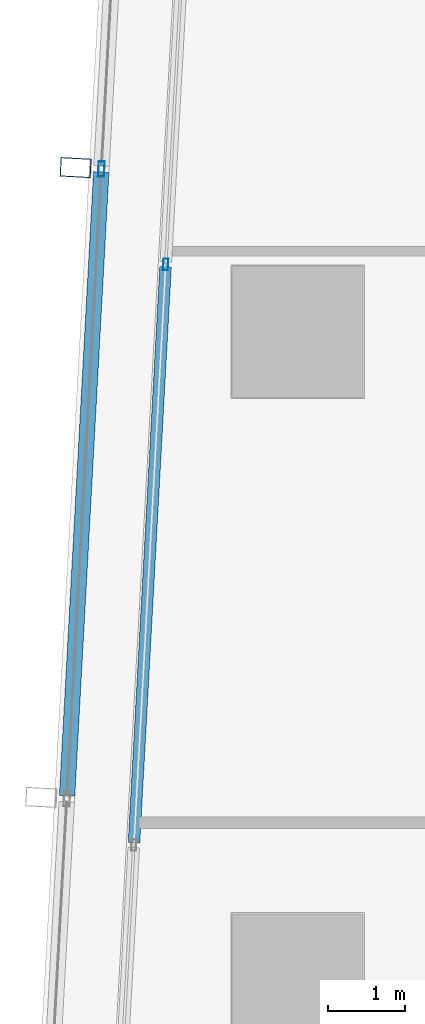
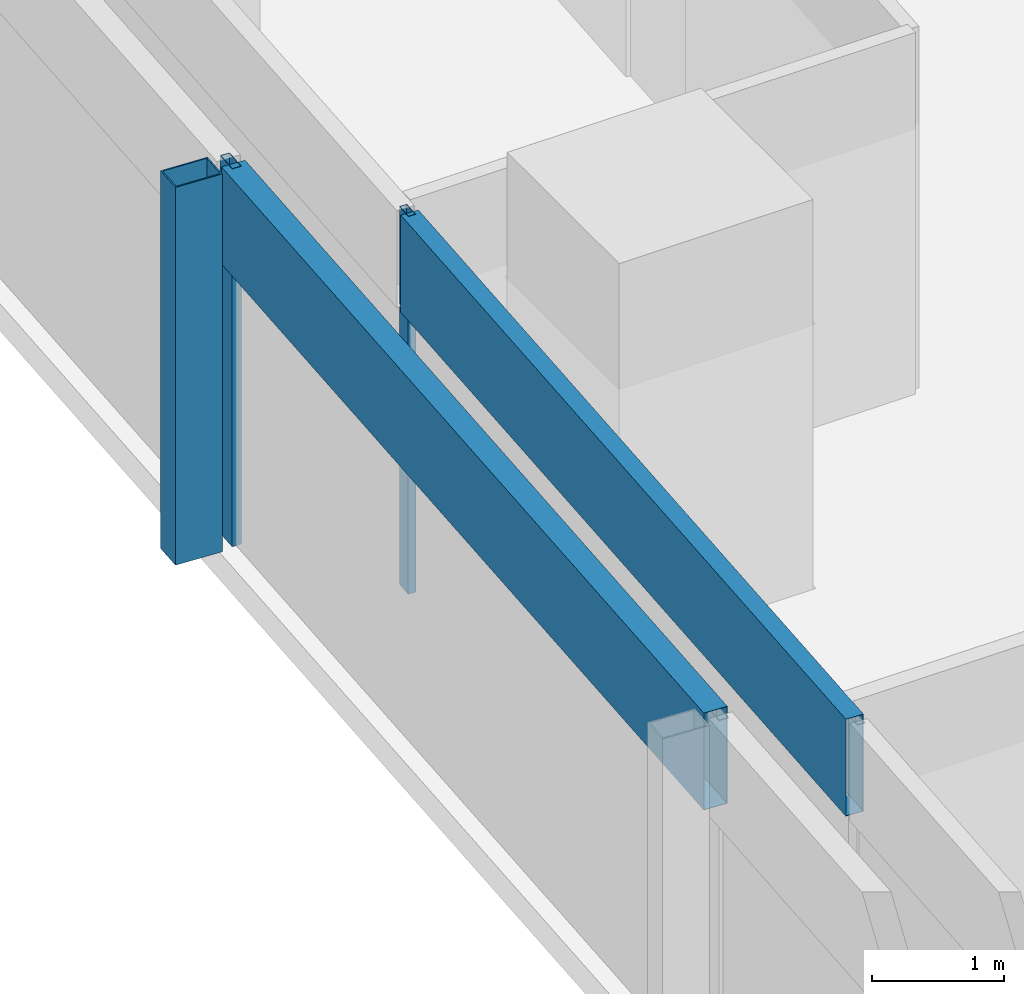
# One storey, part 8 of 40: 5 members, 2 elements without a shape of their own.
"""IFC4 building model written with IfcOpenShell, lengths in metres."""

import ifcopenshell
import ifcopenshell.guid

model = None  # the IFC model being written
_history = None  # IfcOwnerHistory: only IFC2X3 demands one
_inside = {}  # id of a spatial element -> (the spatial element, [elements in it])
_under = {}  # id of a project, library or spatial element -> (it, [spatial elements below it])
_declared = {}  # id of a project -> (the project, [libraries it declares])
_typed = {}  # id of a type object -> (the type object, [elements of that type])
_made_of = {}  # id of a material, layer set ... -> (it, [elements and type objects made of it])


def new_model(schema):
    """Start an empty IFC model of exactly this schema.

    Asked for "IFC4X3", IfcOpenShell would pick the latest addendum, in which some entities
    have other attributes; the version numbers below select the first issue.
    IFC2X3 requires an IfcOwnerHistory on every rooted entity: one is made here for all.
    """
    global model, _history
    if schema == "IFC4X3":
        model = ifcopenshell.file(schema_version=(4, 3, 0, 0))
    else:
        model = ifcopenshell.file(schema=schema)
    _inside.clear()
    _under.clear()
    _declared.clear()
    _typed.clear()
    _made_of.clear()
    _history = None
    if model.schema == "IFC2X3":
        org = make("IfcOrganization", Name="unknown")
        user = make(
            "IfcPersonAndOrganization",
            ThePerson=make("IfcPerson", FamilyName="unknown"),
            TheOrganization=org,
        )
        app = make(
            "IfcApplication",
            ApplicationDeveloper=org,
            Version="unknown",
            ApplicationFullName="unknown",
            ApplicationIdentifier="unknown",
        )
        _history = make(
            "IfcOwnerHistory",
            OwningUser=user,
            OwningApplication=app,
            ChangeAction="ADDED",
            CreationDate=0,
        )
    return model


def make(cls, **values):
    """One entity of the class cls with the attributes given. An attribute that is None is left unset."""
    return model.create_entity(
        cls, **{name: value for name, value in values.items() if value is not None}
    )


def rooted(cls, **values):
    """An entity with a GlobalId (a new one), such as an element, a storey or a relation."""
    return make(cls, GlobalId=ifcopenshell.guid.new(), OwnerHistory=_history, **values)


def si_unit(unit_type, name, prefix=None):
    """IfcSIUnit, for example si_unit("LENGTHUNIT", "METRE", prefix="MILLI")."""
    return make("IfcSIUnit", UnitType=unit_type, Prefix=prefix, Name=name)


def assignment(units):
    """IfcUnitAssignment: the units of a project."""
    return None if units is None else make("IfcUnitAssignment", Units=units)


def point(xyz):
    """IfcCartesianPoint."""
    return None if xyz is None else make("IfcCartesianPoint", Coordinates=xyz)


def direction(xyz):
    """IfcDirection."""
    return None if xyz is None else make("IfcDirection", DirectionRatios=xyz)


def frame(location, z_axis=None, x_axis=None):
    """IfcAxis2Placement3D, a coordinate frame: its origin and axes. An axis left out is left unset."""
    return make(
        "IfcAxis2Placement3D",
        Location=point(location),
        Axis=direction(z_axis),
        RefDirection=direction(x_axis),
    )


def frame_2d(location, x_axis=None):
    """IfcAxis2Placement2D, a coordinate frame in the plane: its origin and x axis."""
    return make(
        "IfcAxis2Placement2D", Location=point(location), RefDirection=direction(x_axis)
    )


def origin():
    """The frame at (0, 0, 0) with its axes left unset."""
    return frame((0.0, 0.0, 0.0))


def origin_2d():
    """The frame at (0, 0) in the plane with its x axis left unset."""
    return frame_2d((0.0, 0.0))


def place(relative_to, where):
    """IfcLocalPlacement: puts the frame where relative to a parent placement (None: the world)."""
    return make(
        "IfcLocalPlacement", PlacementRelTo=relative_to, RelativePlacement=where
    )


def context(
    kind, dimensions, precision=None, world=None, true_north=None, identifier=None
):
    """IfcGeometricRepresentationContext, for example the 3D "Model" context."""
    return make(
        "IfcGeometricRepresentationContext",
        ContextIdentifier=identifier,
        ContextType=kind,
        CoordinateSpaceDimension=dimensions,
        Precision=precision,
        WorldCoordinateSystem=world,
        TrueNorth=true_north,
    )


def subcontext(parent, identifier, kind, view, scale=None):
    """IfcGeometricRepresentationSubContext, for example "Body" below "Model"."""
    return make(
        "IfcGeometricRepresentationSubContext",
        ContextIdentifier=identifier,
        ContextType=kind,
        ParentContext=parent,
        TargetScale=scale,
        TargetView=view,
    )


def project(units=None, contexts=None):
    """IfcProject with its units and contexts."""
    return rooted(
        "IfcProject",
        Name="project",
        RepresentationContexts=contexts,
        UnitsInContext=assignment(units),
    )


def spatial(cls, under=None, at=None, **own):
    """A site, building, storey or space (cls), placed at a placement, below another one or the project."""
    s = rooted(cls, ObjectPlacement=at, **own)
    if under is not None:
        _under.setdefault(under.id(), (under, []))[1].append(s)
    return s


def profile(cls, at=None, kind="AREA", **sizes):
    """A parametric profile (cls). Its sizes go by their IFC names, for example OverallWidth=200.0."""
    return make(cls, ProfileType=kind, Position=at, **sizes)


def hollow_rectangle(**sizes):
    """IfcRectangleHollowProfileDef."""
    return profile("IfcRectangleHollowProfileDef", **sizes)


def extrude(swept, where, along, depth):
    """IfcExtrudedAreaSolid: the profile swept, set in the frame where, extruded along a direction by depth."""
    return make(
        "IfcExtrudedAreaSolid",
        SweptArea=swept,
        Position=where,
        ExtrudedDirection=direction(along),
        Depth=depth,
    )


def shape(context_of_items, identifier, shape_type, items):
    """IfcShapeRepresentation: the items that make up one representation, for example the "Body"."""
    return make(
        "IfcShapeRepresentation",
        ContextOfItems=context_of_items,
        RepresentationIdentifier=identifier,
        RepresentationType=shape_type,
        Items=items,
    )


def material(Name=None, Category=None):
    """IfcMaterial."""
    return make("IfcMaterial", Name=Name, Category=Category)


def material_profile(
    of_material, cross_section, Name=None, Category=None, Priority=None
):
    """IfcMaterialProfile: a cross section and its material."""
    return make(
        "IfcMaterialProfile",
        Name=Name,
        Material=of_material,
        Profile=cross_section,
        Priority=Priority,
        Category=Category,
    )


def profile_set(profiles, Name=None, composite=None):
    """IfcMaterialProfileSet."""
    return make(
        "IfcMaterialProfileSet",
        Name=Name,
        MaterialProfiles=profiles,
        CompositeProfile=composite,
    )


def made_of(thing, what):
    """Note that an element or type object is made of a material, layer set ...; save() writes the relation."""
    if what is not None:
        _made_of.setdefault(what.id(), (what, []))[1].append(thing)
    return thing


def type_object(cls, material=None, **own):
    """A type object (cls), such as IfcWallType, which elements share."""
    return made_of(rooted(cls, **own), material)


def element(
    cls,
    number,
    at=None,
    inside=None,
    cuts=None,
    type_object=None,
    material=None,
    context=None,
    identifier="Body",
    shape_type=None,
    held_by="IfcProductDefinitionShape",
    body=None,
    shapes=None,
    **own,
):
    """One element of the class cls, such as IfcWall. Its Tag is "e" and its number.

    at: its placement. inside: the storey or other place that contains it. cuts: it is an
    opening in that element (IfcRelVoidsElement). A single representation is given by context,
    identifier, shape_type and body (its items); several are given by shapes. held_by: the class
    of the entity that holds the representations. save() writes the other relations.
    """
    e = rooted(cls, Tag="e%d" % number, ObjectPlacement=at, **own)
    if body is not None:
        shapes = [shape(context, identifier, shape_type, body)]
    if shapes is not None:
        e.Representation = make(held_by, Representations=shapes)
    if inside is not None:
        _inside.setdefault(inside.id(), (inside, []))[1].append(e)
    if cuts is not None:
        rooted(
            "IfcRelVoidsElement", RelatingBuildingElement=cuts, RelatedOpeningElement=e
        )
    if type_object is not None:
        _typed.setdefault(type_object.id(), (type_object, []))[1].append(e)
    return made_of(e, material)


def aggregate(whole, parts):
    """IfcRelAggregates: a whole, such as a stair, and the parts it consists of."""
    return rooted("IfcRelAggregates", RelatingObject=whole, RelatedObjects=parts)


def save(model, path):
    """Write the relations noted so far, then the file.

    IfcRelAggregates (storeys below a building ...), IfcRelContainedInSpatialStructure (elements
    in a storey), IfcRelDefinesByType, IfcRelAssociatesMaterial and IfcRelDeclares: one each for
    every whole, place, type object, material and project.
    """
    for whole, parts in _under.values():
        aggregate(whole, parts)
    for where, things in _inside.values():
        rooted(
            "IfcRelContainedInSpatialStructure",
            RelatedElements=things,
            RelatingStructure=where,
        )
    for kind, things in _typed.values():
        rooted("IfcRelDefinesByType", RelatedObjects=things, RelatingType=kind)
    for what, things in _made_of.values():
        rooted("IfcRelAssociatesMaterial", RelatedObjects=things, RelatingMaterial=what)
    for by, libraries in _declared.values():
        rooted("IfcRelDeclares", RelatingContext=by, RelatedDefinitions=libraries)
    model.write(path)


model = new_model("IFC4")

# Units and contexts
model_context = context("Model", 3, precision=1e-05, world=origin(), true_north=direction((0.0, 1.0)))
body_context = subcontext(model_context, "Body", "Model", "MODEL_VIEW")
ifc_project = project(units=[si_unit("LENGTHUNIT", "METRE"), si_unit("AREAUNIT", "SQUARE_METRE"), si_unit("VOLUMEUNIT", "CUBIC_METRE"), si_unit("PLANEANGLEUNIT", "RADIAN"), si_unit("MASSUNIT", "GRAM", prefix="KILO")], contexts=[model_context])

# Site, building, storey
site_placement = place(None, origin())
site = spatial("IfcSite", under=ifc_project, at=site_placement, CompositionType="ELEMENT")
building_placement = place(site_placement, origin())
building = spatial("IfcBuilding", under=site, at=building_placement, Name="Rekha Terrace Tower", CompositionType="ELEMENT")
storey_placement = place(building_placement, frame((0.0, 0.0, 106.550048828125)))
storey = spatial("IfcBuildingStorey", under=building, at=storey_placement, Name="L26", CompositionType="ELEMENT", Elevation=106.550048828125)

# Curtain wall, member
ifc_material_1 = material(Name="Aluminium framing", Category="aluminium")
curtain_wall_type_1 = type_object("IfcCurtainWallType", Name="CW2 double skin outer glazing", PredefinedType="USERDEFINED", material=ifc_material_1)
curtain_wall_1_placement = place(storey_placement, origin())
curtain_wall_1 = element("IfcCurtainWall", 1, at=curtain_wall_1_placement, inside=storey, type_object=curtain_wall_type_1, Name="CW2 double skin outer glazing", ObjectType="DOUBLE SKIN OUTER GLAZING", PredefinedType="USERDEFINED")
ifc_material_2 = material(Name="Steel S355 with fluorocarbon finish", Category="steel")
ifc_material_profile_1 = material_profile(ifc_material_2, hollow_rectangle(XDim=0.25, YDim=0.39990234375, WallThickness=0.012451171875, at=origin_2d()), Name="RHS400x250x12.5")
ifc_profile_set_1 = profile_set([ifc_material_profile_1], Name="Steel S355 with fluorocarbon finish")
member_type_1 = type_object("IfcMemberType", Name="BL1 facade blade RHS 400 x 250", PredefinedType="USERDEFINED", material=ifc_profile_set_1)
member_1_placement = place(storey_placement, frame((5.521728515625, 44.128662109375, 0.0), z_axis=(0.0, 0.0, 1.0), x_axis=(-0.054742798353, -0.998500488747, 0.0)))
member_1 = element("IfcMember", 2, at=member_1_placement, type_object=member_type_1, Name="Facade blade", ObjectType="FACADE BLADE", PredefinedType="USERDEFINED", context=body_context, shape_type="SweptSolid", body=[
    extrude(hollow_rectangle(XDim=0.25, YDim=0.39990234375, WallThickness=0.012451171875, at=origin_2d()), origin(), (0.0, 0.0, 1.0), 3.5),
])

# Curtain wall, members
curtain_wall_type_2 = type_object("IfcCurtainWallType", Name="CW1 double skin inner glazing", PredefinedType="USERDEFINED", material=ifc_material_1)
curtain_wall_2_placement = place(storey_placement, origin())
curtain_wall_2 = element("IfcCurtainWall", 3, at=curtain_wall_2_placement, inside=storey, type_object=curtain_wall_type_2, Name="CW1 double skin inner glazing", ObjectType="DOUBLE SKIN INNER GLAZING", PredefinedType="USERDEFINED")
ifc_material_3 = material(Name="Aluminium mullion section", Category="aluminium")
ifc_material_profile_2 = material_profile(ifc_material_3, hollow_rectangle(XDim=0.06494140625, YDim=0.14990234375, WallThickness=0.00390625, at=origin_2d()), Name="AL RHS 65x150")
ifc_profile_set_2 = profile_set([ifc_material_profile_2], Name="Aluminium mullion section")
member_type_2 = type_object("IfcMemberType", Name="CW1 mullion RHS 65 x 150", PredefinedType="MULLION", material=ifc_profile_set_2)
member_2_placement = place(storey_placement, frame((6.689697265625, 42.87255859375, 0.0), z_axis=(0.0, 0.0, 1.0), x_axis=(0.99850051318, -0.054742352707, 0.0)))
member_2 = element("IfcMember", 4, at=member_2_placement, type_object=member_type_2, Name="CW1 mullion 3", PredefinedType="MULLION", context=body_context, shape_type="SweptSolid", body=[
    extrude(hollow_rectangle(XDim=0.06494140625, YDim=0.14990234375, WallThickness=0.00390625, at=origin_2d()), origin(), (0.0, 0.0, 1.0), 3.5),
])
ifc_material_4 = material(Name="Insulated aluminium spandrel box", Category="aluminium")
ifc_material_profile_3 = material_profile(ifc_material_4, hollow_rectangle(XDim=0.14990234375, YDim=0.89990234375, WallThickness=0.0029296875, at=origin_2d()), Name="AL SPANDREL BOX 150x900")
ifc_profile_set_3 = profile_set([ifc_material_profile_3], Name="Insulated aluminium spandrel box")
member_type_3 = type_object("IfcMemberType", Name="CW1 spandrel transom 150 x 900", PredefinedType="USERDEFINED", material=ifc_profile_set_3)
member_3_placement = place(storey_placement, frame((6.68798828125, 42.840087890625, 3.050048828125), z_axis=(-0.054766415299, -0.998499193668, 0.0), x_axis=(0.998499193668, -0.054766415299, 0.0)))
member_3 = element("IfcMember", 5, at=member_3_placement, type_object=member_type_3, Name="CW1 spandrel transom 3", ObjectType="TRANSOM", PredefinedType="USERDEFINED", context=body_context, shape_type="SweptSolid", body=[
    extrude(hollow_rectangle(XDim=0.14990234375, YDim=0.89990234375, WallThickness=0.0029296875, at=origin_2d()), origin(), (0.0, 0.0, 1.0), 7.475830078125),
])
aggregate(curtain_wall_2, [member_2, member_3])

# Member
ifc_material_profile_4 = material_profile(ifc_material_3, hollow_rectangle(XDim=0.080078125, YDim=0.199951171875, WallThickness=0.00390625, at=origin_2d()), Name="AL RHS 80x200")
ifc_profile_set_4 = profile_set([ifc_material_profile_4], Name="Aluminium mullion section")
member_type_4 = type_object("IfcMemberType", Name="CW2 mullion RHS 80 x 200", PredefinedType="MULLION", material=ifc_profile_set_4)
member_4_placement = place(storey_placement, frame((5.856201171875, 44.1103515625, 0.0), z_axis=(0.0, 0.0, 1.0), x_axis=(0.99850051318, -0.054742352707, 0.0)))
member_4 = element("IfcMember", 6, at=member_4_placement, type_object=member_type_4, Name="CW2 mullion 3", PredefinedType="MULLION", context=body_context, shape_type="SweptSolid", body=[
    extrude(hollow_rectangle(XDim=0.080078125, YDim=0.199951171875, WallThickness=0.00390625, at=origin_2d()), origin(), (0.0, 0.0, 1.0), 3.5),
])

ifc_material_profile_5 = material_profile(ifc_material_4, hollow_rectangle(XDim=0.199951171875, YDim=0.89990234375, WallThickness=0.0029296875, at=origin_2d()), Name="AL SPANDREL BOX 200x900")
ifc_profile_set_5 = profile_set([ifc_material_profile_5], Name="Insulated aluminium spandrel box")
member_type_5 = type_object("IfcMemberType", Name="CW2 spandrel transom 200 x 900", PredefinedType="USERDEFINED", material=ifc_profile_set_5)
member_5_placement = place(storey_placement, frame((5.85400390625, 44.070556640625, 3.050048828125), z_axis=(-0.054735499102, -0.998500888902, 0.0), x_axis=(0.998500888902, -0.054735499102, 0.0)))
member_5 = element("IfcMember", 7, at=member_5_placement, type_object=member_type_5, Name="CW2 spandrel transom 3", ObjectType="TRANSOM", PredefinedType="USERDEFINED", context=body_context, shape_type="SweptSolid", body=[
    extrude(hollow_rectangle(XDim=0.199951171875, YDim=0.89990234375, WallThickness=0.0029296875, at=origin_2d()), origin(), (0.0, 0.0, 1.0), 8.10009765625),
])

aggregate(curtain_wall_1, [member_4, member_5, member_1])

save(model, "model.ifc")
